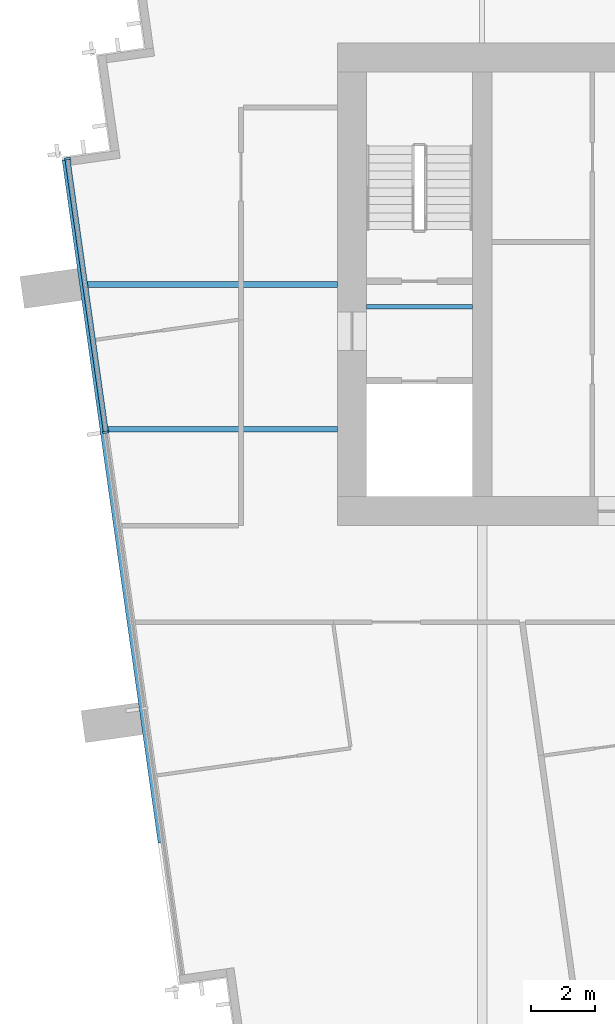
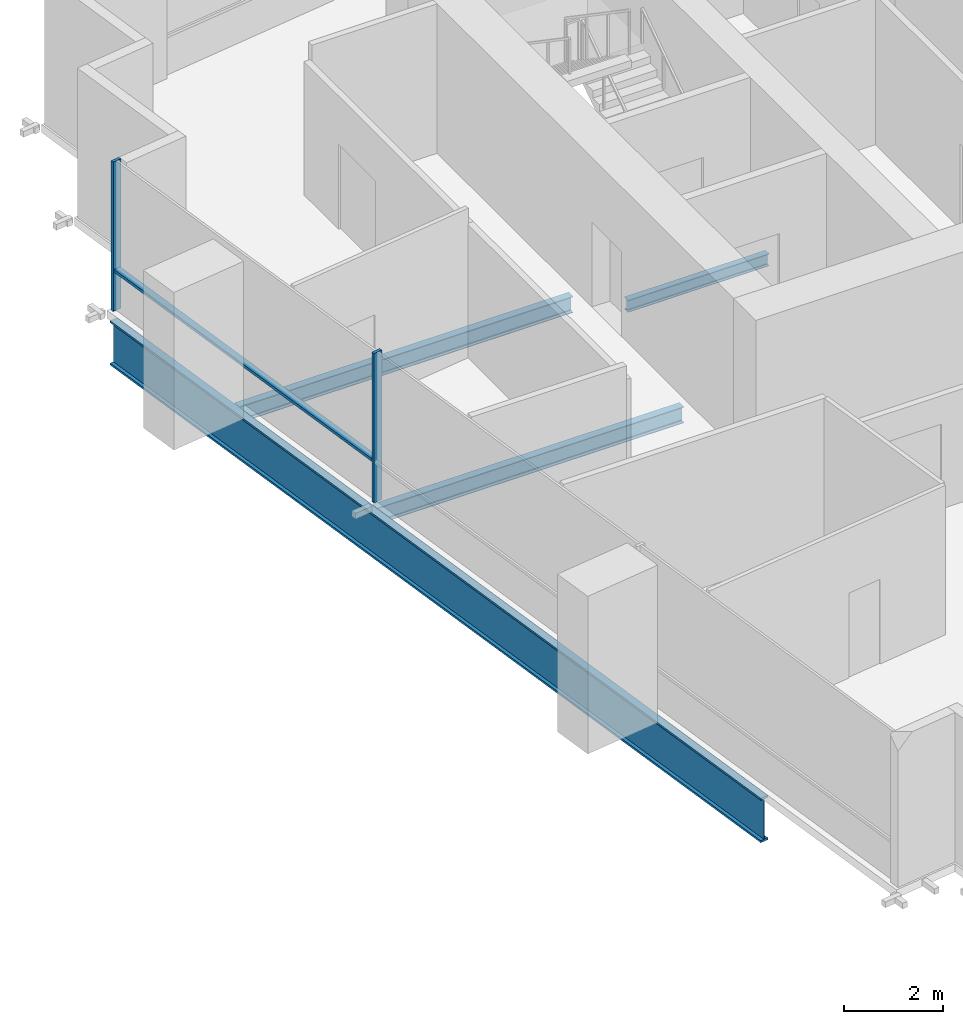
# One storey, part 3 of 12: 4 beams, 3 members, 1 element without a shape of its own.
"""IFC4 building model written with IfcOpenShell, lengths in metres."""

from ifc_helpers import new_model, si_unit, direction, frame, origin, origin_2d, place, context, subcontext, project, spatial, rectangle, i_section, extrude, material, layer, layer_set, material_profile, profile_set, type_object, element, aggregate, save


model = new_model("IFC4")

# Units and contexts
model_context = context("Model", 3, precision=1e-05, world=origin(), true_north=direction((0.0, 1.0)))
body_context = subcontext(model_context, "Body", "Model", "MODEL_VIEW")
ifc_project = project(units=[si_unit("LENGTHUNIT", "METRE"), si_unit("AREAUNIT", "SQUARE_METRE"), si_unit("VOLUMEUNIT", "CUBIC_METRE"), si_unit("PLANEANGLEUNIT", "RADIAN"), si_unit("MASSUNIT", "GRAM", prefix="KILO")], contexts=[model_context])

# Site, building, storey
site_placement = place(None, origin())
site = spatial("IfcSite", under=ifc_project, at=site_placement, CompositionType="ELEMENT")
building_placement = place(site_placement, origin())
building = spatial("IfcBuilding", under=site, at=building_placement, Name="Rattan Terrace Tower", CompositionType="ELEMENT")
storey_placement = place(building_placement, frame((0.0, 0.0, 282.39990234375)))
storey = spatial("IfcBuildingStorey", under=building, at=storey_placement, Name="L65", CompositionType="ELEMENT", Elevation=282.39990234375)

# Beams
ifc_material_1 = material(Name="Steel S460", Category="steel")
ifc_material_profile_1 = material_profile(ifc_material_1, i_section(OverallWidth=0.179931640625, OverallDepth=1.10009765625, WebThickness=0.01611328125, FlangeThickness=0.050048828125, at=origin_2d()), Name="PG 1100x180-16-50")
ifc_profile_set_1 = profile_set([ifc_material_profile_1], Name="Steel S460")
beam_type_1 = type_object("IfcBeamType", Name="Frame edge girder PG 1100x180-16-50", PredefinedType="SPANDREL", material=ifc_profile_set_1)
beam_1_placement = place(storey_placement, frame((-23.485107421875, -17.347900390625, -0.75), z_axis=(-0.139189723544, 0.990265732448, 0.0), x_axis=(-0.990265732448, -0.139189723544, 0.0)))
element("IfcBeam", 1, at=beam_1_placement, inside=storey, type_object=beam_type_1, Name="gdr-L65-003", PredefinedType="SPANDREL", context=body_context, shape_type="SweptSolid", body=[
    extrude(i_section(OverallWidth=0.179931640625, OverallDepth=1.10009765625, WebThickness=0.01611328125, FlangeThickness=0.050048828125, at=origin_2d()), origin(), (0.0, 0.0, 1.0), 21.430419921875),
])
ifc_material_2 = material(Name="Steel S355", Category="steel")
ifc_material_profile_2 = material_profile(ifc_material_2, i_section(OverallWidth=0.14990234375, OverallDepth=0.300048828125, WebThickness=0.007080078125, FlangeThickness=0.0107421875, FilletRadius=0.014892578125, at=origin_2d()), Name="IPE 300")
ifc_profile_set_2 = profile_set([ifc_material_profile_2], Name="Steel S355")
beam_type_2 = type_object("IfcBeamType", Name="Frame floor beam IPE 300", PredefinedType="JOIST", material=ifc_profile_set_2)
beam_2_placement = place(storey_placement, frame((-17.10009765625, -0.695068359375, -0.349853515625), z_axis=(1.0, 0.0, 0.0), x_axis=(0.0, 1.0, 0.0)))
element("IfcBeam", 2, at=beam_2_placement, inside=storey, type_object=beam_type_2, Name="bm-L65-001", PredefinedType="JOIST", context=body_context, shape_type="SweptSolid", body=[
    extrude(i_section(OverallWidth=0.14990234375, OverallDepth=0.300048828125, WebThickness=0.007080078125, FlangeThickness=0.0107421875, FilletRadius=0.014892578125, at=origin_2d()), origin(), (0.0, 0.0, 1.0), 3.300048828125),
])
ifc_material_3 = material(Name="Steel S355", Category="steel")
ifc_material_profile_3 = material_profile(ifc_material_3, i_section(OverallWidth=0.179931640625, OverallDepth=0.39990234375, WebThickness=0.008544921875, FlangeThickness=0.013427734375, FilletRadius=0.02099609375, at=origin_2d()), Name="IPE 400")
ifc_profile_set_3 = profile_set([ifc_material_profile_3], Name="Steel S355")
beam_type_3 = type_object("IfcBeamType", Name="Frame floor beam IPE 400", PredefinedType="JOIST", material=ifc_profile_set_3)
beam_3_placement = place(storey_placement, frame((-25.18701171875, -4.5, -0.39990234375), z_axis=(1.0, 0.0, 0.0), x_axis=(0.0, 1.0, 0.0)))
element("IfcBeam", 3, at=beam_3_placement, inside=storey, type_object=beam_type_3, Name="bm-L65-010", PredefinedType="JOIST", context=body_context, shape_type="SweptSolid", body=[
    extrude(i_section(OverallWidth=0.179931640625, OverallDepth=0.39990234375, WebThickness=0.008544921875, FlangeThickness=0.013427734375, FilletRadius=0.02099609375, at=origin_2d()), origin(), (0.0, 0.0, 1.0), 7.18701171875),
])
beam_4_placement = place(storey_placement, frame((-25.820068359375, 0.0, -0.39990234375), z_axis=(1.0, 0.0, 0.0), x_axis=(0.0, 1.0, 0.0)))
element("IfcBeam", 4, at=beam_4_placement, inside=storey, type_object=beam_type_3, Name="bm-L65-012", PredefinedType="JOIST", context=body_context, shape_type="SweptSolid", body=[
    extrude(i_section(OverallWidth=0.179931640625, OverallDepth=0.39990234375, WebThickness=0.008544921875, FlangeThickness=0.013427734375, FilletRadius=0.02099609375, at=origin_2d()), origin(), (0.0, 0.0, 1.0), 7.820068359375),
])

# Curtain wall, members
ifc_material_4 = material(Name="Aluminium and laminated glass", Category="aluminium")
ifc_layer = layer(ifc_material_4, 0.199951171875)
ifc_layer_set = layer_set([ifc_layer], Name="High-Zone Unitised Curtain Wall")
curtain_wall_type = type_object("IfcCurtainWallType", Name="High-Zone Unitised Curtain Wall", PredefinedType="NOTDEFINED", material=ifc_layer_set)
curtain_wall_placement = place(storey_placement, origin())
curtain_wall = element("IfcCurtainWall", 5, at=curtain_wall_placement, inside=storey, type_object=curtain_wall_type, Name="High-zone curtain wall L65-3", PredefinedType="NOTDEFINED")
ifc_material_5 = material(Name="Aluminium", Category="aluminium")
ifc_material_profile_4 = material_profile(ifc_material_5, rectangle(XDim=0.070068359375, YDim=0.199951171875, at=origin_2d()), Name="Aluminium 70x200")
ifc_profile_set_4 = profile_set([ifc_material_profile_4], Name="Aluminium")
member_type_1 = type_object("IfcMemberType", Name="High-Zone CW Mullion 70x200", PredefinedType="MULLION", material=ifc_profile_set_4)
member_1_placement = place(storey_placement, frame((-26.3916015625, 3.908447265625, 0.0), z_axis=(0.0, 0.0, 1.0), x_axis=(0.139191775431, -0.990265444036, 0.0)))
member_1 = element("IfcMember", 6, at=member_1_placement, type_object=member_type_1, Name="Mullion cwl-L65-003.1", PredefinedType="MULLION", context=body_context, shape_type="SweptSolid", body=[
    extrude(rectangle(XDim=0.070068359375, YDim=0.199951171875, at=origin_2d()), origin(), (0.0, 0.0, 1.0), 3.7001953125),
])
member_2_placement = place(storey_placement, frame((-25.1962890625, -4.594970703125, 0.0), z_axis=(0.0, 0.0, 1.0), x_axis=(0.139191775431, -0.990265444036, 0.0)))
member_2 = element("IfcMember", 7, at=member_2_placement, type_object=member_type_1, Name="Mullion cwl-L65-003.2", PredefinedType="MULLION", context=body_context, shape_type="SweptSolid", body=[
    extrude(rectangle(XDim=0.070068359375, YDim=0.199951171875, at=origin_2d()), origin(), (0.0, 0.0, 1.0), 3.7001953125),
])
ifc_material_6 = material(Name="Aluminium", Category="aluminium")
ifc_material_profile_5 = material_profile(ifc_material_6, rectangle(XDim=0.159912109375, YDim=0.070068359375, at=origin_2d()), Name="Aluminium 160x70")
ifc_profile_set_5 = profile_set([ifc_material_profile_5], Name="Aluminium")
member_type_2 = type_object("IfcMemberType", Name="High-Zone CW Transom 160x70", PredefinedType="USERDEFINED", material=ifc_profile_set_5)
member_3_placement = place(storey_placement, frame((-26.38671875, 3.873779296875, 1.0), z_axis=(0.139197734293, -0.99026460644, 0.0), x_axis=(0.99026460644, 0.139197734293, 0.0)))
member_3 = element("IfcMember", 8, at=member_3_placement, type_object=member_type_2, Name="Transom cwl-L65-003.1", ObjectType="TRANSOM", PredefinedType="USERDEFINED", context=body_context, shape_type="SweptSolid", body=[
    extrude(rectangle(XDim=0.159912109375, YDim=0.070068359375, at=origin_2d()), origin(), (0.0, 0.0, 1.0), 8.51708984375),
])
aggregate(curtain_wall, [member_1, member_2, member_3])

save(model, "model.ifc")
